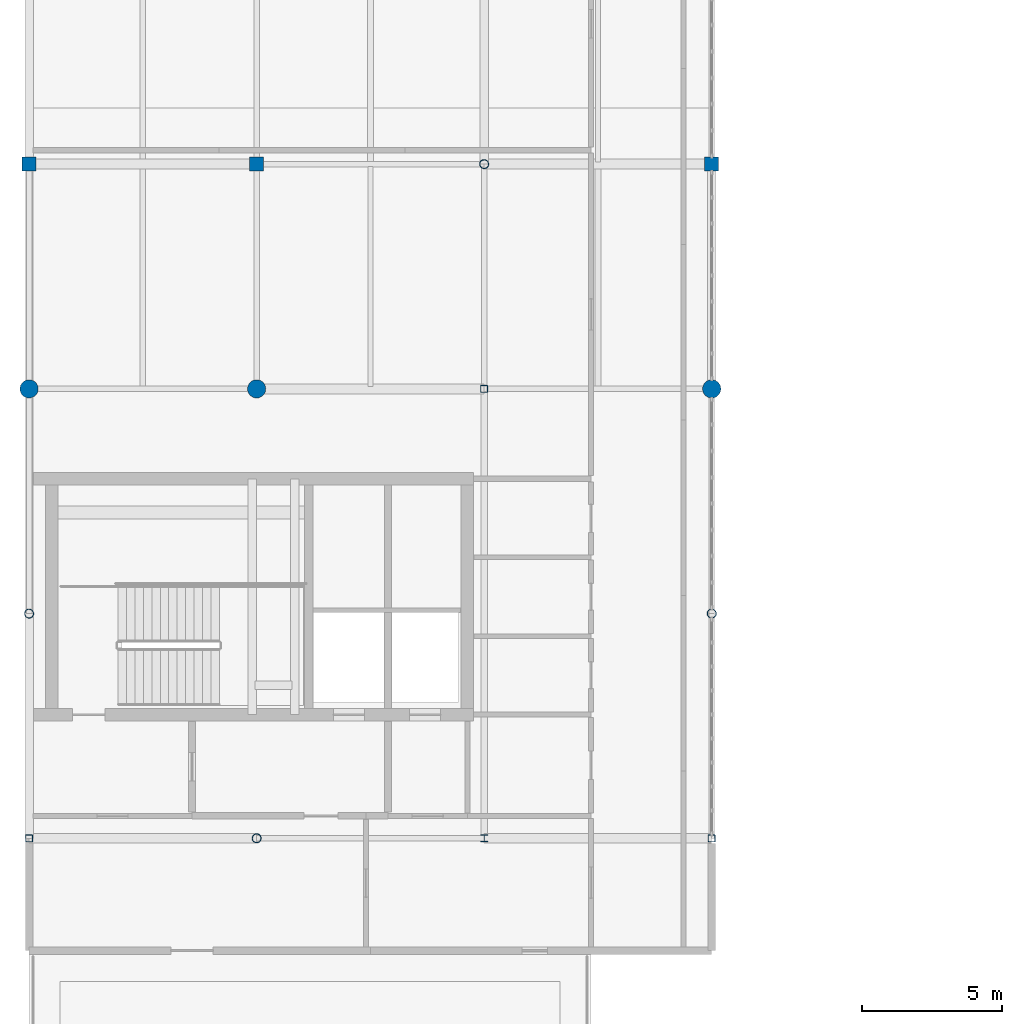
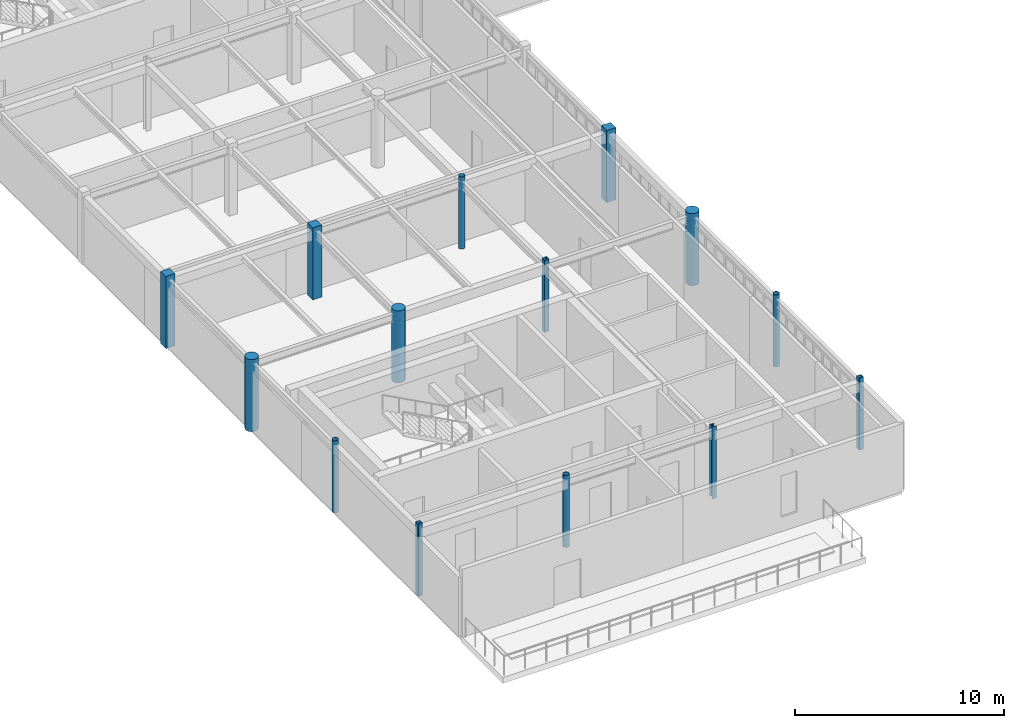
# One storey, part 1 of 18: 14 columns.
"""IFC4 building model written with IfcOpenShell, lengths in metres."""

from ifc_helpers import new_model, si_unit, direction, frame, origin, origin_2d, place, context, subcontext, project, spatial, rectangle, hollow_rectangle, circle, hollow_circle, i_section, extrude, material, material_profile, profile_set, type_object, element, save


model = new_model("IFC4")

# Units and contexts
model_context = context("Model", 3, precision=1e-05, world=origin(), true_north=direction((0.0, 1.0)))
body_context = subcontext(model_context, "Body", "Model", "MODEL_VIEW")
ifc_project = project(units=[si_unit("LENGTHUNIT", "METRE"), si_unit("AREAUNIT", "SQUARE_METRE"), si_unit("VOLUMEUNIT", "CUBIC_METRE"), si_unit("PLANEANGLEUNIT", "RADIAN"), si_unit("MASSUNIT", "GRAM", prefix="KILO")], contexts=[model_context])

# Site, building, storey
site_placement = place(None, origin())
site = spatial("IfcSite", under=ifc_project, at=site_placement, CompositionType="ELEMENT")
building_placement = place(site_placement, origin())
building = spatial("IfcBuilding", under=site, at=building_placement, Name="Tarnveldt Square Police Headquarters", CompositionType="ELEMENT")
storey_placement = place(building_placement, frame((0.0, 0.0, 29.10009765625)))
storey = spatial("IfcBuildingStorey", under=building, at=storey_placement, Name="L06", CompositionType="ELEMENT", Elevation=29.10009765625)

# Columns
ifc_material_1 = material(Name="Steel 350W", Category="steel")
ifc_material_profile_1 = material_profile(ifc_material_1, hollow_circle(Radius=0.161865234375, WallThickness=0.0126953125, at=origin_2d()), Name="HSS324x13")
ifc_profile_set_1 = profile_set([ifc_material_profile_1], Name="Steel 350W")
column_type_1 = type_object("IfcColumnType", Name="COL-CHS324x13", PredefinedType="COLUMN", material=ifc_profile_set_1)
for number, where, z_axis, x_axis, name in (
    (1, (16.199951171875, 64.0, 0.0), (0.0, 0.0, 1.0), (1.0, 0.0, 0.0), "L06 Column 021"),
    (2, (24.300048828125, 56.0, 0.0), (0.0, 0.0, 1.0), (1.0, 0.0, 0.0), "L06 Column 033"),
    (3, (32.39990234375, 80.0, 0.0), (0.0, 0.0, 1.0), (1.0, 0.0, 0.0), "L06 Column 051"),
    (4, (40.5, 64.0, 0.0), (0.0, 0.0, 1.0), (1.0, 0.0, 0.0), "L06 Column 063"),
):
    element("IfcColumn", number, at=place(storey_placement, frame(where, z_axis=z_axis, x_axis=x_axis)), inside=storey, type_object=column_type_1, Name=name, PredefinedType="COLUMN", context=body_context, shape_type="SweptSolid", body=[
        extrude(hollow_circle(Radius=0.161865234375, WallThickness=0.0126953125, at=origin_2d()), origin(), (0.0, 0.0, 1.0), 4.199951171875),
    ])
ifc_material_2 = material(Name="Concrete 40 MPa", Category="concrete")
ifc_material_profile_2 = material_profile(ifc_material_2, circle(Radius=0.324951171875, at=origin_2d()), Name="RC-D650")
ifc_profile_set_2 = profile_set([ifc_material_profile_2], Name="Concrete 40 MPa")
column_type_2 = type_object("IfcColumnType", Name="COL-D650", PredefinedType="COLUMN", material=ifc_profile_set_2)
for number, where, z_axis, x_axis, name in (
    (5, (16.199951171875, 72.0, 0.0), (0.0, 0.0, 1.0), (1.0, 0.0, 0.0), "L06 Column 022"),
    (6, (24.300048828125, 72.0, 0.0), (0.0, 0.0, 1.0), (1.0, 0.0, 0.0), "L06 Column 034"),
    (7, (40.5, 72.0, 0.0), (0.0, 0.0, 1.0), (1.0, 0.0, 0.0), "L06 Column 064"),
):
    element("IfcColumn", number, at=place(storey_placement, frame(where, z_axis=z_axis, x_axis=x_axis)), inside=storey, type_object=column_type_2, Name=name, PredefinedType="COLUMN", context=body_context, shape_type="SweptSolid", body=[
        extrude(circle(Radius=0.324951171875, at=origin_2d()), origin(), (0.0, 0.0, 1.0), 4.199951171875),
    ])
ifc_material_profile_3 = material_profile(ifc_material_1, hollow_rectangle(XDim=0.25390625, YDim=0.25390625, WallThickness=0.0126953125, InnerFilletRadius=0.0126953125, OuterFilletRadius=0.025390625, at=origin_2d()), Name="HSS254x254x13")
ifc_profile_set_3 = profile_set([ifc_material_profile_3], Name="Steel 350W")
column_type_3 = type_object("IfcColumnType", Name="COL-HSS254x13", PredefinedType="COLUMN", material=ifc_profile_set_3)
for number, where, z_axis, x_axis, name in (
    (8, (16.199951171875, 56.0, 0.0), (0.0, 0.0, 1.0), (1.0, 0.0, 0.0), "L06 Column 020"),
    (9, (32.39990234375, 72.0, 0.0), (0.0, 0.0, 1.0), (1.0, 0.0, 0.0), "L06 Column 050"),
    (10, (40.5, 56.0, 0.0), (0.0, 0.0, 1.0), (1.0, 0.0, 0.0), "L06 Column 062"),
):
    element("IfcColumn", number, at=place(storey_placement, frame(where, z_axis=z_axis, x_axis=x_axis)), inside=storey, type_object=column_type_3, Name=name, PredefinedType="COLUMN", context=body_context, shape_type="SweptSolid", body=[
        extrude(hollow_rectangle(XDim=0.25390625, YDim=0.25390625, WallThickness=0.0126953125, InnerFilletRadius=0.0126953125, OuterFilletRadius=0.025390625, at=origin_2d()), origin(), (0.0, 0.0, 1.0), 4.199951171875),
    ])
ifc_material_profile_4 = material_profile(ifc_material_2, rectangle(XDim=0.5, YDim=0.5, at=origin_2d()), Name="RC-C500x500")
ifc_profile_set_4 = profile_set([ifc_material_profile_4], Name="Concrete 40 MPa")
column_type_4 = type_object("IfcColumnType", Name="COL-RC500", PredefinedType="COLUMN", material=ifc_profile_set_4)
for number, where, z_axis, x_axis, name in (
    (11, (16.199951171875, 80.0, 0.0), (0.0, 0.0, 1.0), (1.0, 0.0, 0.0), "L06 Column 023"),
    (12, (24.300048828125, 80.0, 0.0), (0.0, 0.0, 1.0), (1.0, 0.0, 0.0), "L06 Column 035"),
    (13, (40.5, 80.0, 0.0), (0.0, 0.0, 1.0), (1.0, 0.0, 0.0), "L06 Column 065"),
):
    element("IfcColumn", number, at=place(storey_placement, frame(where, z_axis=z_axis, x_axis=x_axis)), inside=storey, type_object=column_type_4, Name=name, PredefinedType="COLUMN", context=body_context, shape_type="SweptSolid", body=[
        extrude(rectangle(XDim=0.5, YDim=0.5, at=origin_2d()), origin(), (0.0, 0.0, 1.0), 4.199951171875),
    ])
ifc_material_profile_5 = material_profile(ifc_material_1, i_section(OverallWidth=0.256103515625, OverallDepth=0.260009765625, WebThickness=0.0107421875, FlangeThickness=0.017333984375, FilletRadius=0.012939453125, at=origin_2d()), Name="W250x89")
ifc_profile_set_5 = profile_set([ifc_material_profile_5], Name="Steel 350W")
column_type_5 = type_object("IfcColumnType", Name="COL-W250x89", PredefinedType="COLUMN", material=ifc_profile_set_5)
column_placement = place(storey_placement, frame((32.39990234375, 56.0, 0.0), z_axis=(0.0, 0.0, 1.0), x_axis=(1.0, 0.0, 0.0)))
element("IfcColumn", 14, at=column_placement, inside=storey, type_object=column_type_5, Name="L06 Column 049", PredefinedType="COLUMN", context=body_context, shape_type="SweptSolid", body=[
    extrude(i_section(OverallWidth=0.256103515625, OverallDepth=0.260009765625, WebThickness=0.0107421875, FlangeThickness=0.017333984375, FilletRadius=0.012939453125, at=origin_2d()), origin(), (0.0, 0.0, 1.0), 4.199951171875),
])

save(model, "model.ifc")
